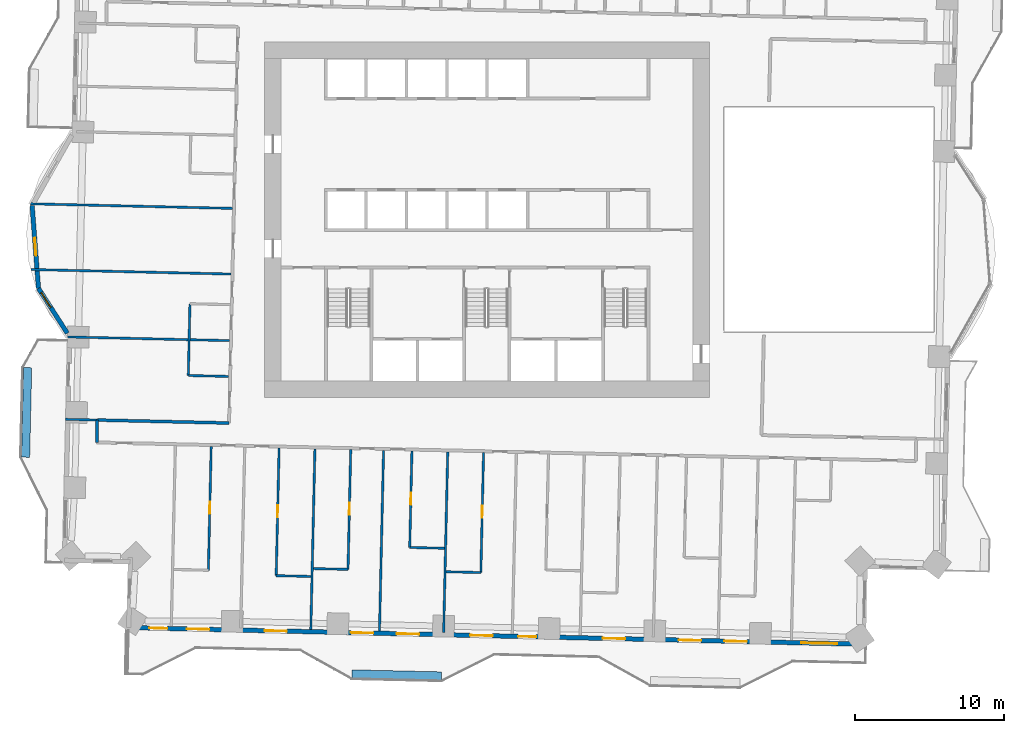
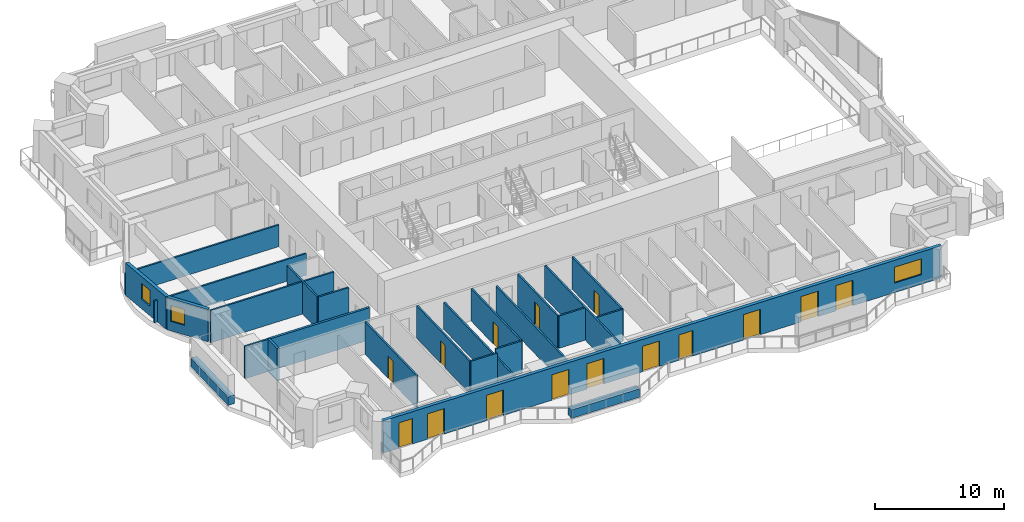
# One storey, part 7 of 18: 25 walls, 15 doors, 3 windows, 18 openings.
"""IFC4 building model written with IfcOpenShell, lengths in metres."""

from ifc_helpers import new_model, si_unit, direction, frame, frame_2d, origin, place, context, subcontext, project, spatial, rectangle, extrude, material, layer, layer_set, type_object, element, fill, save


model = new_model("IFC4")

# Units and contexts
model_context = context("Model", 3, precision=1e-05, world=origin(), true_north=direction((0.0, 1.0)))
body_context = subcontext(model_context, "Body", "Model", "MODEL_VIEW")
ifc_project = project(units=[si_unit("LENGTHUNIT", "METRE"), si_unit("AREAUNIT", "SQUARE_METRE"), si_unit("VOLUMEUNIT", "CUBIC_METRE"), si_unit("PLANEANGLEUNIT", "RADIAN"), si_unit("MASSUNIT", "GRAM", prefix="KILO")], contexts=[model_context])

# Site, building, storey
site_placement = place(None, origin())
site = spatial("IfcSite", under=ifc_project, at=site_placement, CompositionType="ELEMENT")
building_placement = place(site_placement, origin())
building = spatial("IfcBuilding", under=site, at=building_placement, Name="Mangrove Gate Tower", CompositionType="ELEMENT")
storey_placement = place(building_placement, frame((0.0, 0.0, 71.10009765625)))
storey = spatial("IfcBuildingStorey", under=building, at=storey_placement, Name="L17", CompositionType="ELEMENT", Elevation=71.10009765625)

# Walls
ifc_material_1 = material(Name="Gypsum board on steel stud, EI 60", Category="steel")
ifc_layer_1 = layer(ifc_material_1, 0.199951171875)
ifc_layer_set_1 = layer_set([ifc_layer_1], Name="Corridor wall EI 60")
wall_type_1 = type_object("IfcWallType", Name="Corridor wall EI 60", PredefinedType="PARTITIONING", material=ifc_layer_set_1)
wall_1_placement = place(storey_placement, frame((-26.14794921875, -14.924072265625, 0.0), z_axis=(0.0, 0.0, 1.0), x_axis=(0.022617910375, 0.999744182344, 0.0)))
element("IfcWall", 1, at=wall_1_placement, inside=storey, type_object=wall_type_1, Name="WALL-L17-032", PredefinedType="PARTITIONING", context=body_context, shape_type="SweptSolid", body=[
    extrude(rectangle(XDim=1.50048828125, YDim=0.199951171875, at=frame_2d((0.750244140625, 0.0))), origin(), (0.0, 0.0, 1.0), 3.0498046875),
])
wall_2_placement = place(storey_placement, frame((-26.116943359375, -13.424072265625, 0.0), z_axis=(0.0, 0.0, 1.0), x_axis=(0.999741493133, -0.022736466476, 0.0)))
element("IfcWall", 2, at=wall_2_placement, inside=storey, type_object=wall_type_1, Name="WALL-L17-035", PredefinedType="PARTITIONING", context=body_context, shape_type="SweptSolid", body=[
    extrude(rectangle(XDim=8.837158203125, YDim=0.199951171875, at=frame_2d((4.41845703125, 0.0))), origin(), (0.0, 0.0, 1.0), 3.0498046875),
])

# Wall, opening, window
ifc_material_2 = material(Name="Limestone", Category="masonry")
ifc_layer_2 = layer(ifc_material_2, 0.0400390625, Name="Limestone cladding")
ifc_material_3 = material(Name="Ventilated air gap")
ifc_layer_3 = layer(ifc_material_3, 0.0400390625, Name="Ventilated cavity")
ifc_material_4 = material(Name="Mineral wool insulation")
ifc_layer_4 = layer(ifc_material_4, 0.06005859375, Name="Insulation")
ifc_material_5 = material(Name="Breather membrane")
ifc_layer_5 = layer(ifc_material_5, 0.001953125, Name="Breather membrane")
ifc_material_6 = material(Name="Concrete C20/25 blockwork", Category="masonry")
ifc_layer_6 = layer(ifc_material_6, 0.14990234375, Name="Blockwork backing wall")
ifc_material_7 = material(Name="Gypsum plaster")
ifc_layer_7 = layer(ifc_material_7, 0.008056640625, Name="Internal plaster")
ifc_layer_set_2 = layer_set([ifc_layer_2, ifc_layer_3, ifc_layer_4, ifc_layer_5, ifc_layer_6, ifc_layer_7], Name="External wall 300 limestone cladding")
wall_type_2 = type_object("IfcWallType", Name="External wall 300 limestone cladding", PredefinedType="SOLIDWALL", material=ifc_layer_set_2)
wall_3_placement = place(storey_placement, frame((-30.47900390625, 0.951904296875, 0.0), z_axis=(0.0, 0.0, 1.0), x_axis=(0.076964476481, -0.997033835614, 0.0)))
wall_3 = element("IfcWall", 3, at=wall_3_placement, inside=storey, type_object=wall_type_2, Name="WALL-L17-W9f2", PredefinedType="SOLIDWALL", context=body_context, shape_type="SweptSolid", body=[
    extrude(rectangle(XDim=5.573486328125, YDim=0.300048828125, at=frame_2d((2.78662109375, 0.0))), origin(), (0.0, 0.0, 1.0), 3.0498046875),
])
opening_1_placement = place(wall_3_placement, frame((2.18603515625, 0.0, 0.89990234375)))
opening_1 = element("IfcOpeningElement", 4, at=opening_1_placement, cuts=wall_3, Name="Opening W1", PredefinedType="OPENING", context=body_context, shape_type="SweptSolid", body=[
    extrude(rectangle(XDim=1.199951171875, YDim=1.5, at=frame_2d((0.60009765625, 0.75))), frame((0.0, 0.159912109375, 0.0), z_axis=(0.0, -1.0, 0.0), x_axis=(1.0, 0.0, 0.0)), (0.0, 0.0, 1.0), 0.320068359375),
])
ifc_material_8 = material(Name="Aluminium frame with double-glazed low-e glass", Category="aluminium")
window_type_1 = type_object("IfcWindowType", Name="Side lite 1200x1500", PartitioningType="SINGLE_PANEL", PredefinedType="WINDOW", material=ifc_material_8)
window_1_placement = place(opening_1_placement, origin())
window_1 = element("IfcWindow", 5, at=window_1_placement, inside=storey, type_object=window_type_1, Name="WIN-L17-W9f2", OverallHeight=1.5, OverallWidth=1.199951171875, PartitioningType="SINGLE_PANEL", PredefinedType="WINDOW", context=body_context, shape_type="SweptSolid", body=[
    extrude(rectangle(XDim=1.199951171875, YDim=1.5, at=frame_2d((0.60009765625, 0.75))), frame((0.0, 0.030029296875, 0.0), z_axis=(0.0, -1.0, 0.0), x_axis=(1.0, 0.0, 0.0)), (0.0, 0.0, 1.0), 0.06005859375),
])
fill(opening_1, window_1)

wall_4_placement = place(storey_placement, frame((-30.050048828125, -4.60498046875, 0.0), z_axis=(0.0, 0.0, 1.0), x_axis=(0.540653885242, -0.841245134532, 0.0)))
wall_4 = element("IfcWall", 6, at=wall_4_placement, inside=storey, type_object=wall_type_2, Name="WALL-L17-W9f3", PredefinedType="SOLIDWALL", context=body_context, shape_type="SweptSolid", body=[
    extrude(rectangle(XDim=3.569580078125, YDim=0.300048828125, at=frame_2d((1.78466796875, 0.0))), origin(), (0.0, 0.0, 1.0), 3.0498046875),
])
opening_2_placement = place(wall_4_placement, frame((0.337890625, 0.0, 0.89990234375)))
opening_2 = element("IfcOpeningElement", 7, at=opening_2_placement, cuts=wall_4, Name="Opening W1", PredefinedType="OPENING", context=body_context, shape_type="SweptSolid", body=[
    extrude(rectangle(XDim=1.199951171875, YDim=1.5, at=frame_2d((0.60009765625, 0.75))), frame((0.0, 0.159912109375, 0.0), z_axis=(0.0, -1.0, 0.0), x_axis=(1.0, 0.0, 0.0)), (0.0, 0.0, 1.0), 0.320068359375),
])
window_2_placement = place(opening_2_placement, origin())
window_2 = element("IfcWindow", 8, at=window_2_placement, inside=storey, type_object=window_type_1, Name="WIN-L17-W9f3", OverallHeight=1.5, OverallWidth=1.199951171875, PartitioningType="SINGLE_PANEL", PredefinedType="WINDOW", context=body_context, shape_type="SweptSolid", body=[
    extrude(rectangle(XDim=1.199951171875, YDim=1.5, at=frame_2d((0.60009765625, 0.75))), frame((0.0, 0.030029296875, 0.0), z_axis=(0.0, -1.0, 0.0), x_axis=(1.0, 0.0, 0.0)), (0.0, 0.0, 1.0), 0.06005859375),
])
fill(opening_2, window_2)

# Wall, openings, doors, window
wall_5_placement = place(storey_placement, frame((-24.007080078125, -27.325927734375, 0.0), z_axis=(0.0, 0.0, 1.0), x_axis=(0.999742536491, -0.022690542744, 0.0)))
wall_5 = element("IfcWall", 9, at=wall_5_placement, inside=storey, type_object=wall_type_2, Name="WALL-L17-S13", PredefinedType="SOLIDWALL", context=body_context, shape_type="SweptSolid", body=[
    extrude(rectangle(XDim=49.23583984375, YDim=0.300048828125, at=frame_2d((24.617919921875, 0.0))), origin(), (0.0, 0.0, 1.0), 3.0498046875),
])
opening_3_placement = place(wall_5_placement, frame((1.39111328125, 0.0, 0.0)))
opening_3 = element("IfcOpeningElement", 10, at=opening_3_placement, cuts=wall_5, Name="Opening BD2", PredefinedType="OPENING", context=body_context, shape_type="SweptSolid", body=[
    extrude(rectangle(XDim=1.199951171875, YDim=2.39990234375, at=frame_2d((0.60009765625, 1.199951171875))), frame((0.0, 0.159912109375, 0.0), z_axis=(0.0, -1.0, 0.0), x_axis=(1.0, 0.0, 0.0)), (0.0, 0.0, 1.0), 0.320068359375),
])
opening_4_placement = place(wall_5_placement, frame((3.90087890625, 0.0, 0.0)))
opening_4 = element("IfcOpeningElement", 11, at=opening_4_placement, cuts=wall_5, Name="Opening BD1", PredefinedType="OPENING", context=body_context, shape_type="SweptSolid", body=[
    extrude(rectangle(XDim=1.5, YDim=2.39990234375, at=frame_2d((0.75, 1.199951171875))), frame((0.0, 0.159912109375, 0.0), z_axis=(0.0, -1.0, 0.0), x_axis=(1.0, 0.0, 0.0)), (0.0, 0.0, 1.0), 0.320068359375),
])
opening_5_placement = place(wall_5_placement, frame((9.10009765625, 0.0, 0.0)))
opening_5 = element("IfcOpeningElement", 12, at=opening_5_placement, cuts=wall_5, Name="Opening BD1", PredefinedType="OPENING", context=body_context, shape_type="SweptSolid", body=[
    extrude(rectangle(XDim=1.5, YDim=2.39990234375, at=frame_2d((0.75, 1.199951171875))), frame((0.0, 0.159912109375, 0.0), z_axis=(0.0, -1.0, 0.0), x_axis=(1.0, 0.0, 0.0)), (0.0, 0.0, 1.0), 0.320068359375),
])
opening_6_placement = place(wall_5_placement, frame((14.888916015625, 0.0, 0.0)))
opening_6 = element("IfcOpeningElement", 13, at=opening_6_placement, cuts=wall_5, Name="Opening BD1", PredefinedType="OPENING", context=body_context, shape_type="SweptSolid", body=[
    extrude(rectangle(XDim=1.5, YDim=2.39990234375, at=frame_2d((0.75, 1.199951171875))), frame((0.0, 0.159912109375, 0.0), z_axis=(0.0, -1.0, 0.0), x_axis=(1.0, 0.0, 0.0)), (0.0, 0.0, 1.0), 0.320068359375),
])
opening_7_placement = place(wall_5_placement, frame((17.951904296875, 0.0, 0.0)))
opening_7 = element("IfcOpeningElement", 14, at=opening_7_placement, cuts=wall_5, Name="Opening BD1", PredefinedType="OPENING", context=body_context, shape_type="SweptSolid", body=[
    extrude(rectangle(XDim=1.5, YDim=2.39990234375, at=frame_2d((0.75, 1.199951171875))), frame((0.0, 0.159912109375, 0.0), z_axis=(0.0, -1.0, 0.0), x_axis=(1.0, 0.0, 0.0)), (0.0, 0.0, 1.0), 0.320068359375),
])
opening_8_placement = place(wall_5_placement, frame((22.8779296875, 0.0, 0.0)))
opening_8 = element("IfcOpeningElement", 15, at=opening_8_placement, cuts=wall_5, Name="Opening BD1", PredefinedType="OPENING", context=body_context, shape_type="SweptSolid", body=[
    extrude(rectangle(XDim=1.5, YDim=2.39990234375, at=frame_2d((0.75, 1.199951171875))), frame((0.0, 0.159912109375, 0.0), z_axis=(0.0, -1.0, 0.0), x_axis=(1.0, 0.0, 0.0)), (0.0, 0.0, 1.0), 0.320068359375),
])
opening_9_placement = place(wall_5_placement, frame((26.091064453125, 0.0, 0.0)))
opening_9 = element("IfcOpeningElement", 16, at=opening_9_placement, cuts=wall_5, Name="Opening BD2", PredefinedType="OPENING", context=body_context, shape_type="SweptSolid", body=[
    extrude(rectangle(XDim=1.199951171875, YDim=2.39990234375, at=frame_2d((0.60009765625, 1.199951171875))), frame((0.0, 0.159912109375, 0.0), z_axis=(0.0, -1.0, 0.0), x_axis=(1.0, 0.0, 0.0)), (0.0, 0.0, 1.0), 0.320068359375),
])
opening_10_placement = place(wall_5_placement, frame((31.75390625, 0.0, 0.0)))
opening_10 = element("IfcOpeningElement", 17, at=opening_10_placement, cuts=wall_5, Name="Opening BD1", PredefinedType="OPENING", context=body_context, shape_type="SweptSolid", body=[
    extrude(rectangle(XDim=1.5, YDim=2.39990234375, at=frame_2d((0.75, 1.199951171875))), frame((0.0, 0.159912109375, 0.0), z_axis=(0.0, -1.0, 0.0), x_axis=(1.0, 0.0, 0.0)), (0.0, 0.0, 1.0), 0.320068359375),
])
opening_11_placement = place(wall_5_placement, frame((36.85400390625, 0.0, 0.0)))
opening_11 = element("IfcOpeningElement", 18, at=opening_11_placement, cuts=wall_5, Name="Opening BD1", PredefinedType="OPENING", context=body_context, shape_type="SweptSolid", body=[
    extrude(rectangle(XDim=1.5, YDim=2.39990234375, at=frame_2d((0.75, 1.199951171875))), frame((0.0, 0.159912109375, 0.0), z_axis=(0.0, -1.0, 0.0), x_axis=(1.0, 0.0, 0.0)), (0.0, 0.0, 1.0), 0.320068359375),
])
opening_12_placement = place(wall_5_placement, frame((39.9169921875, 0.0, 0.0)))
opening_12 = element("IfcOpeningElement", 19, at=opening_12_placement, cuts=wall_5, Name="Opening BD1", PredefinedType="OPENING", context=body_context, shape_type="SweptSolid", body=[
    extrude(rectangle(XDim=1.5, YDim=2.39990234375, at=frame_2d((0.75, 1.199951171875))), frame((0.0, 0.159912109375, 0.0), z_axis=(0.0, -1.0, 0.0), x_axis=(1.0, 0.0, 0.0)), (0.0, 0.0, 1.0), 0.320068359375),
])
opening_13_placement = place(wall_5_placement, frame((45.072021484375, 0.0, 0.89990234375)))
opening_13 = element("IfcOpeningElement", 20, at=opening_13_placement, cuts=wall_5, Name="Opening W2", PredefinedType="OPENING", context=body_context, shape_type="SweptSolid", body=[
    extrude(rectangle(XDim=2.39990234375, YDim=1.5, at=frame_2d((1.199951171875, 0.75))), frame((0.0, 0.159912109375, 0.0), z_axis=(0.0, -1.0, 0.0), x_axis=(1.0, 0.0, 0.0)), (0.0, 0.0, 1.0), 0.320068359375),
])
ifc_material_9 = material(Name="Aluminium frame with laminated clear glass", Category="aluminium")
door_type_1 = type_object("IfcDoorType", Name="Balcony sliding door 1200x2400", OperationType="SLIDING_TO_LEFT", PredefinedType="DOOR", material=ifc_material_9)
door_1_placement = place(opening_3_placement, origin())
door_1 = element("IfcDoor", 21, at=door_1_placement, inside=storey, type_object=door_type_1, Name="DOOR-L17-S13-1", OperationType="SLIDING_TO_LEFT", OverallHeight=2.39990234375, OverallWidth=1.199951171875, PredefinedType="DOOR", context=body_context, shape_type="SweptSolid", body=[
    extrude(rectangle(XDim=1.199951171875, YDim=2.39990234375, at=frame_2d((0.60009765625, 1.199951171875))), frame((0.0, 0.02490234375, 0.0), z_axis=(0.0, -1.0, 0.0), x_axis=(1.0, 0.0, 0.0)), (0.0, 0.0, 1.0), 0.050048828125),
])
fill(opening_3, door_1)
door_2_placement = place(opening_9_placement, origin())
door_2 = element("IfcDoor", 22, at=door_2_placement, inside=storey, type_object=door_type_1, Name="DOOR-L17-S13-7", OperationType="SLIDING_TO_LEFT", OverallHeight=2.39990234375, OverallWidth=1.199951171875, PredefinedType="DOOR", context=body_context, shape_type="SweptSolid", body=[
    extrude(rectangle(XDim=1.199951171875, YDim=2.39990234375, at=frame_2d((0.60009765625, 1.199951171875))), frame((0.0, 0.02490234375, 0.0), z_axis=(0.0, -1.0, 0.0), x_axis=(1.0, 0.0, 0.0)), (0.0, 0.0, 1.0), 0.050048828125),
])
fill(opening_9, door_2)
ifc_material_10 = material(Name="Aluminium frame with laminated clear glass", Category="aluminium")
door_type_2 = type_object("IfcDoorType", Name="Balcony sliding door 1500x2400", OperationType="SLIDING_TO_LEFT", PredefinedType="DOOR", material=ifc_material_10)
door_3_placement = place(opening_4_placement, origin())
door_3 = element("IfcDoor", 23, at=door_3_placement, inside=storey, type_object=door_type_2, Name="DOOR-L17-S13-2", OperationType="SLIDING_TO_LEFT", OverallHeight=2.39990234375, OverallWidth=1.5, PredefinedType="DOOR", context=body_context, shape_type="SweptSolid", body=[
    extrude(rectangle(XDim=1.5, YDim=2.39990234375, at=frame_2d((0.75, 1.199951171875))), frame((0.0, 0.02490234375, 0.0), z_axis=(0.0, -1.0, 0.0), x_axis=(1.0, 0.0, 0.0)), (0.0, 0.0, 1.0), 0.050048828125),
])
fill(opening_4, door_3)
door_4_placement = place(opening_5_placement, origin())
door_4 = element("IfcDoor", 24, at=door_4_placement, inside=storey, type_object=door_type_2, Name="DOOR-L17-S13-3", OperationType="SLIDING_TO_LEFT", OverallHeight=2.39990234375, OverallWidth=1.5, PredefinedType="DOOR", context=body_context, shape_type="SweptSolid", body=[
    extrude(rectangle(XDim=1.5, YDim=2.39990234375, at=frame_2d((0.75, 1.199951171875))), frame((0.0, 0.02490234375, 0.0), z_axis=(0.0, -1.0, 0.0), x_axis=(1.0, 0.0, 0.0)), (0.0, 0.0, 1.0), 0.050048828125),
])
fill(opening_5, door_4)
door_5_placement = place(opening_6_placement, origin())
door_5 = element("IfcDoor", 25, at=door_5_placement, inside=storey, type_object=door_type_2, Name="DOOR-L17-S13-4", OperationType="SLIDING_TO_LEFT", OverallHeight=2.39990234375, OverallWidth=1.5, PredefinedType="DOOR", context=body_context, shape_type="SweptSolid", body=[
    extrude(rectangle(XDim=1.5, YDim=2.39990234375, at=frame_2d((0.75, 1.199951171875))), frame((0.0, 0.02490234375, 0.0), z_axis=(0.0, -1.0, 0.0), x_axis=(1.0, 0.0, 0.0)), (0.0, 0.0, 1.0), 0.050048828125),
])
fill(opening_6, door_5)
door_6_placement = place(opening_7_placement, origin())
door_6 = element("IfcDoor", 26, at=door_6_placement, inside=storey, type_object=door_type_2, Name="DOOR-L17-S13-5", OperationType="SLIDING_TO_LEFT", OverallHeight=2.39990234375, OverallWidth=1.5, PredefinedType="DOOR", context=body_context, shape_type="SweptSolid", body=[
    extrude(rectangle(XDim=1.5, YDim=2.39990234375, at=frame_2d((0.75, 1.199951171875))), frame((0.0, 0.02490234375, 0.0), z_axis=(0.0, -1.0, 0.0), x_axis=(1.0, 0.0, 0.0)), (0.0, 0.0, 1.0), 0.050048828125),
])
fill(opening_7, door_6)
door_7_placement = place(opening_8_placement, origin())
door_7 = element("IfcDoor", 27, at=door_7_placement, inside=storey, type_object=door_type_2, Name="DOOR-L17-S13-6", OperationType="SLIDING_TO_LEFT", OverallHeight=2.39990234375, OverallWidth=1.5, PredefinedType="DOOR", context=body_context, shape_type="SweptSolid", body=[
    extrude(rectangle(XDim=1.5, YDim=2.39990234375, at=frame_2d((0.75, 1.199951171875))), frame((0.0, 0.02490234375, 0.0), z_axis=(0.0, -1.0, 0.0), x_axis=(1.0, 0.0, 0.0)), (0.0, 0.0, 1.0), 0.050048828125),
])
fill(opening_8, door_7)
door_8_placement = place(opening_10_placement, origin())
door_8 = element("IfcDoor", 28, at=door_8_placement, inside=storey, type_object=door_type_2, Name="DOOR-L17-S13-8", OperationType="SLIDING_TO_LEFT", OverallHeight=2.39990234375, OverallWidth=1.5, PredefinedType="DOOR", context=body_context, shape_type="SweptSolid", body=[
    extrude(rectangle(XDim=1.5, YDim=2.39990234375, at=frame_2d((0.75, 1.199951171875))), frame((0.0, 0.02490234375, 0.0), z_axis=(0.0, -1.0, 0.0), x_axis=(1.0, 0.0, 0.0)), (0.0, 0.0, 1.0), 0.050048828125),
])
fill(opening_10, door_8)
door_9_placement = place(opening_11_placement, origin())
door_9 = element("IfcDoor", 29, at=door_9_placement, inside=storey, type_object=door_type_2, Name="DOOR-L17-S13-9", OperationType="SLIDING_TO_LEFT", OverallHeight=2.39990234375, OverallWidth=1.5, PredefinedType="DOOR", context=body_context, shape_type="SweptSolid", body=[
    extrude(rectangle(XDim=1.5, YDim=2.39990234375, at=frame_2d((0.75, 1.199951171875))), frame((0.0, 0.02490234375, 0.0), z_axis=(0.0, -1.0, 0.0), x_axis=(1.0, 0.0, 0.0)), (0.0, 0.0, 1.0), 0.050048828125),
])
fill(opening_11, door_9)
door_10_placement = place(opening_12_placement, origin())
door_10 = element("IfcDoor", 30, at=door_10_placement, inside=storey, type_object=door_type_2, Name="DOOR-L17-S13-10", OperationType="SLIDING_TO_LEFT", OverallHeight=2.39990234375, OverallWidth=1.5, PredefinedType="DOOR", context=body_context, shape_type="SweptSolid", body=[
    extrude(rectangle(XDim=1.5, YDim=2.39990234375, at=frame_2d((0.75, 1.199951171875))), frame((0.0, 0.02490234375, 0.0), z_axis=(0.0, -1.0, 0.0), x_axis=(1.0, 0.0, 0.0)), (0.0, 0.0, 1.0), 0.050048828125),
])
fill(opening_12, door_10)
ifc_material_11 = material(Name="Aluminium frame with double-glazed low-e glass", Category="aluminium")
window_type_2 = type_object("IfcWindowType", Name="Corner room window 2400x1500", PartitioningType="DOUBLE_PANEL_VERTICAL", PredefinedType="WINDOW", material=ifc_material_11)
window_3_placement = place(opening_13_placement, origin())
window_3 = element("IfcWindow", 31, at=window_3_placement, inside=storey, type_object=window_type_2, Name="WIN-L17-S13-11", OverallHeight=1.5, OverallWidth=2.39990234375, PartitioningType="DOUBLE_PANEL_VERTICAL", PredefinedType="WINDOW", context=body_context, shape_type="SweptSolid", body=[
    extrude(rectangle(XDim=2.39990234375, YDim=1.5, at=frame_2d((1.199951171875, 0.75))), frame((0.0, 0.030029296875, 0.0), z_axis=(0.0, -1.0, 0.0), x_axis=(1.0, 0.0, 0.0)), (0.0, 0.0, 1.0), 0.06005859375),
])
fill(opening_13, window_3)

# Walls
ifc_material_12 = material(Name="Gypsum board on steel stud, EI 60", Category="steel")
ifc_layer_8 = layer(ifc_material_12, 0.14990234375)
ifc_layer_set_3 = layer_set([ifc_layer_8], Name="Party wall 150 EI 60")
wall_type_3 = type_object("IfcWallType", Name="Party wall 150 EI 60", PredefinedType="PARTITIONING", material=ifc_layer_set_3)
for number, where, z_axis, x_axis, name in (
    (32, (-11.80908203125, -27.452880859375, 0.0), (0.0, 0.0, 1.0), (0.02273928012, 0.99974142914, 0.0), "WALL-L17-003"),
    (33, (-7.2099609375, -27.556884765625, 0.0), (0.0, 0.0, 1.0), (0.02263844782, 0.9997437175, 0.0), "WALL-L17-004"),
):
    element("IfcWall", number, at=place(storey_placement, frame(where, z_axis=z_axis, x_axis=x_axis)), inside=storey, type_object=wall_type_3, Name=name, PredefinedType="PARTITIONING", context=body_context, shape_type="SweptSolid", body=[
        extrude(rectangle(XDim=12.10009765625, YDim=0.14990234375, at=frame_2d((6.050048828125, 0.0))), origin(), (0.0, 0.0, 1.0), 2.5498046875),
    ])
wall_6_placement = place(storey_placement, frame((-2.910888671875, -27.655029296875, 0.0), z_axis=(0.0, 0.0, 1.0), x_axis=(0.02263616477, 0.999743769195, 0.0)))
element("IfcWall", 34, at=wall_6_placement, inside=storey, type_object=wall_type_3, Name="WALL-L17-005", PredefinedType="PARTITIONING", context=body_context, shape_type="SweptSolid", body=[
    extrude(rectangle(XDim=12.101318359375, YDim=0.14990234375, at=frame_2d((6.05078125, 0.0))), origin(), (0.0, 0.0, 1.0), 3.0498046875),
])

# Wall, opening, door
wall_7_placement = place(storey_placement, frame((-14.1279296875, -23.84912109375, 0.0), z_axis=(0.0, 0.0, 1.0), x_axis=(0.022671462533, 0.999742969361, 0.0)))
wall_7 = element("IfcWall", 35, at=wall_7_placement, inside=storey, type_object=wall_type_3, Name="WALL-L17-015", PredefinedType="PARTITIONING", context=body_context, shape_type="SweptSolid", body=[
    extrude(rectangle(XDim=8.55029296875, YDim=0.14990234375, at=frame_2d((4.275146484375, 0.0))), origin(), (0.0, 0.0, 1.0), 3.0498046875),
])
opening_14_placement = place(wall_7_placement, frame((3.925048828125, 0.0, 0.0)))
opening_14 = element("IfcOpeningElement", 36, at=opening_14_placement, cuts=wall_7, Name="Opening ED", PredefinedType="OPENING", context=body_context, shape_type="SweptSolid", body=[
    extrude(rectangle(XDim=0.800048828125, YDim=2.10009765625, at=frame_2d((0.39990234375, 1.050048828125))), frame((0.0, 0.0849609375, 0.0), z_axis=(0.0, -1.0, 0.0), x_axis=(1.0, 0.0, 0.0)), (0.0, 0.0, 1.0), 0.169921875),
])
ifc_material_13 = material(Name="Timber door leaf", Category="wood")
door_type_3 = type_object("IfcDoorType", Name="En-suite door 800", OperationType="SINGLE_SWING_LEFT", PredefinedType="DOOR", material=ifc_material_13)
door_11_placement = place(opening_14_placement, origin())
door_11 = element("IfcDoor", 37, at=door_11_placement, inside=storey, type_object=door_type_3, Name="DOOR-L17-ENS-c102", OperationType="SINGLE_SWING_RIGHT", OverallHeight=2.10009765625, OverallWidth=0.800048828125, PredefinedType="DOOR", context=body_context, shape_type="SweptSolid", body=[
    extrude(rectangle(XDim=0.800048828125, YDim=2.10009765625, at=frame_2d((0.39990234375, 1.050048828125))), frame((0.0, 0.02490234375, 0.0), z_axis=(0.0, -1.0, 0.0), x_axis=(1.0, 0.0, 0.0)), (0.0, 0.0, 1.0), 0.050048828125),
])
fill(opening_14, door_11)

# Wall
wall_8_placement = place(storey_placement, frame((-14.1259765625, -23.84912109375, 0.0), z_axis=(0.0, 0.0, 1.0), x_axis=(0.999740478815, -0.022781023197, 0.0)))
element("IfcWall", 38, at=wall_8_placement, inside=storey, type_object=wall_type_3, Name="WALL-L17-016", PredefinedType="PARTITIONING", context=body_context, shape_type="SweptSolid", body=[
    extrude(rectangle(XDim=2.325439453125, YDim=0.14990234375, at=frame_2d((1.16259765625, 0.0))), origin(), (0.0, 0.0, 1.0), 3.0498046875),
])

# Wall, opening, door
wall_9_placement = place(storey_placement, frame((-18.6708984375, -23.486083984375, 0.0), z_axis=(0.0, 0.0, 1.0), x_axis=(0.022675916361, 0.99974286835, 0.0)))
wall_9 = element("IfcWall", 39, at=wall_9_placement, inside=storey, type_object=wall_type_3, Name="WALL-L17-018", PredefinedType="PARTITIONING", context=body_context, shape_type="SweptSolid", body=[
    extrude(rectangle(XDim=8.290283203125, YDim=0.14990234375, at=frame_2d((4.14501953125, 0.0))), origin(), (0.0, 0.0, 1.0), 3.0498046875),
])
opening_15_placement = place(wall_9_placement, frame((3.794921875, 0.0, 0.0)))
opening_15 = element("IfcOpeningElement", 40, at=opening_15_placement, cuts=wall_9, Name="Opening ED", PredefinedType="OPENING", context=body_context, shape_type="SweptSolid", body=[
    extrude(rectangle(XDim=0.800048828125, YDim=2.10009765625, at=frame_2d((0.39990234375, 1.050048828125))), frame((0.0, 0.0849609375, 0.0), z_axis=(0.0, -1.0, 0.0), x_axis=(1.0, 0.0, 0.0)), (0.0, 0.0, 1.0), 0.169921875),
])
door_12_placement = place(opening_15_placement, origin())
door_12 = element("IfcDoor", 41, at=door_12_placement, inside=storey, type_object=door_type_3, Name="DOOR-L17-ENS-c101", OperationType="SINGLE_SWING_LEFT", OverallHeight=2.10009765625, OverallWidth=0.800048828125, PredefinedType="DOOR", context=body_context, shape_type="SweptSolid", body=[
    extrude(rectangle(XDim=0.800048828125, YDim=2.10009765625, at=frame_2d((0.39990234375, 1.050048828125))), frame((0.0, 0.02490234375, 0.0), z_axis=(0.0, -1.0, 0.0), x_axis=(1.0, 0.0, 0.0)), (0.0, 0.0, 1.0), 0.050048828125),
])
fill(opening_15, door_12)

# Wall
wall_10_placement = place(storey_placement, frame((-2.741943359375, -23.5869140625, 0.0), z_axis=(0.0, 0.0, 1.0), x_axis=(0.999740478815, -0.022781023197, 0.0)))
element("IfcWall", 42, at=wall_10_placement, inside=storey, type_object=wall_type_3, Name="WALL-L17-019", PredefinedType="PARTITIONING", context=body_context, shape_type="SweptSolid", body=[
    extrude(rectangle(XDim=2.325439453125, YDim=0.14990234375, at=frame_2d((1.16259765625, 0.0))), origin(), (0.0, 0.0, 1.0), 3.0498046875),
])

# Wall, opening, door
wall_11_placement = place(storey_placement, frame((-0.4189453125, -23.639892578125, 0.0), z_axis=(0.0, 0.0, 1.0), x_axis=(0.022650959747, 0.999743434098, 0.0)))
wall_11 = element("IfcWall", 43, at=wall_11_placement, inside=storey, type_object=wall_type_3, Name="WALL-L17-020", PredefinedType="PARTITIONING", context=body_context, shape_type="SweptSolid", body=[
    extrude(rectangle(XDim=8.02978515625, YDim=0.14990234375, at=frame_2d((4.014892578125, 0.0))), origin(), (0.0, 0.0, 1.0), 3.0498046875),
])
opening_16_placement = place(wall_11_placement, frame((3.6650390625, 0.0, 0.0)))
opening_16 = element("IfcOpeningElement", 44, at=opening_16_placement, cuts=wall_11, Name="Opening ED", PredefinedType="OPENING", context=body_context, shape_type="SweptSolid", body=[
    extrude(rectangle(XDim=0.800048828125, YDim=2.10009765625, at=frame_2d((0.39990234375, 1.050048828125))), frame((0.0, 0.0849609375, 0.0), z_axis=(0.0, -1.0, 0.0), x_axis=(1.0, 0.0, 0.0)), (0.0, 0.0, 1.0), 0.169921875),
])
door_13_placement = place(opening_16_placement, origin())
door_13 = element("IfcDoor", 45, at=door_13_placement, inside=storey, type_object=door_type_3, Name="DOOR-L17-ENS-c205", OperationType="SINGLE_SWING_LEFT", OverallHeight=2.10009765625, OverallWidth=0.800048828125, PredefinedType="DOOR", context=body_context, shape_type="SweptSolid", body=[
    extrude(rectangle(XDim=0.800048828125, YDim=2.10009765625, at=frame_2d((0.39990234375, 1.050048828125))), frame((0.0, 0.02490234375, 0.0), z_axis=(0.0, -1.0, 0.0), x_axis=(1.0, 0.0, 0.0)), (0.0, 0.0, 1.0), 0.050048828125),
])
fill(opening_16, door_13)

# Wall
wall_12_placement = place(storey_placement, frame((-11.638916015625, -23.375, 0.0), z_axis=(0.0, 0.0, 1.0), x_axis=(0.999740260747, -0.02279059109, 0.0)))
element("IfcWall", 46, at=wall_12_placement, inside=storey, type_object=wall_type_3, Name="WALL-L17-021", PredefinedType="PARTITIONING", context=body_context, shape_type="SweptSolid", body=[
    extrude(rectangle(XDim=2.324462890625, YDim=0.14990234375, at=frame_2d((1.162109375, 0.0))), origin(), (0.0, 0.0, 1.0), 3.0498046875),
])

# Wall, opening, door
wall_13_placement = place(storey_placement, frame((-9.31689453125, -23.427978515625, 0.0), z_axis=(0.0, 0.0, 1.0), x_axis=(0.022678533363, 0.999742808989, 0.0)))
wall_13 = element("IfcWall", 47, at=wall_13_placement, inside=storey, type_object=wall_type_3, Name="WALL-L17-022", PredefinedType="PARTITIONING", context=body_context, shape_type="SweptSolid", body=[
    extrude(rectangle(XDim=8.02001953125, YDim=0.14990234375, at=frame_2d((4.010009765625, 0.0))), origin(), (0.0, 0.0, 1.0), 3.0498046875),
])
opening_17_placement = place(wall_13_placement, frame((3.659912109375, 0.0, 0.0)))
opening_17 = element("IfcOpeningElement", 48, at=opening_17_placement, cuts=wall_13, Name="Opening ED", PredefinedType="OPENING", context=body_context, shape_type="SweptSolid", body=[
    extrude(rectangle(XDim=0.800048828125, YDim=2.10009765625, at=frame_2d((0.39990234375, 1.050048828125))), frame((0.0, 0.0849609375, 0.0), z_axis=(0.0, -1.0, 0.0), x_axis=(1.0, 0.0, 0.0)), (0.0, 0.0, 1.0), 0.169921875),
])
door_14_placement = place(opening_17_placement, origin())
door_14 = element("IfcDoor", 49, at=door_14_placement, inside=storey, type_object=door_type_3, Name="DOOR-L17-ENS-c103", OperationType="SINGLE_SWING_LEFT", OverallHeight=2.10009765625, OverallWidth=0.800048828125, PredefinedType="DOOR", context=body_context, shape_type="SweptSolid", body=[
    extrude(rectangle(XDim=0.800048828125, YDim=2.10009765625, at=frame_2d((0.39990234375, 1.050048828125))), frame((0.0, 0.02490234375, 0.0), z_axis=(0.0, -1.0, 0.0), x_axis=(1.0, 0.0, 0.0)), (0.0, 0.0, 1.0), 0.050048828125),
])
fill(opening_17, door_14)

wall_14_placement = place(storey_placement, frame((-5.18310546875, -21.9609375, 0.0), z_axis=(0.0, 0.0, 1.0), x_axis=(0.022790087107, 0.999740272236, 0.0)))
wall_14 = element("IfcWall", 50, at=wall_14_placement, inside=storey, type_object=wall_type_3, Name="WALL-L17-027", PredefinedType="PARTITIONING", context=body_context, shape_type="SweptSolid", body=[
    extrude(rectangle(XDim=6.459716796875, YDim=0.14990234375, at=frame_2d((3.22998046875, 0.0))), origin(), (0.0, 0.0, 1.0), 3.0498046875),
])
opening_18_placement = place(wall_14_placement, frame((2.8798828125, 0.0, 0.0)))
opening_18 = element("IfcOpeningElement", 51, at=opening_18_placement, cuts=wall_14, Name="Opening ED", PredefinedType="OPENING", context=body_context, shape_type="SweptSolid", body=[
    extrude(rectangle(XDim=0.800048828125, YDim=2.10009765625, at=frame_2d((0.39990234375, 1.050048828125))), frame((0.0, 0.0849609375, 0.0), z_axis=(0.0, -1.0, 0.0), x_axis=(1.0, 0.0, 0.0)), (0.0, 0.0, 1.0), 0.169921875),
])
door_15_placement = place(opening_18_placement, origin())
door_15 = element("IfcDoor", 52, at=door_15_placement, inside=storey, type_object=door_type_3, Name="DOOR-L17-ENS-c104", OperationType="SINGLE_SWING_RIGHT", OverallHeight=2.10009765625, OverallWidth=0.800048828125, PredefinedType="DOOR", context=body_context, shape_type="SweptSolid", body=[
    extrude(rectangle(XDim=0.800048828125, YDim=2.10009765625, at=frame_2d((0.39990234375, 1.050048828125))), frame((0.0, 0.02490234375, 0.0), z_axis=(0.0, -1.0, 0.0), x_axis=(1.0, 0.0, 0.0)), (0.0, 0.0, 1.0), 0.050048828125),
])
fill(opening_18, door_15)

# Walls
wall_15_placement = place(storey_placement, frame((-5.180908203125, -21.9609375, 0.0), z_axis=(0.0, 0.0, 1.0), x_axis=(0.999740478815, -0.022781023197, 0.0)))
element("IfcWall", 53, at=wall_15_placement, inside=storey, type_object=wall_type_3, Name="WALL-L17-028", PredefinedType="PARTITIONING", context=body_context, shape_type="SweptSolid", body=[
    extrude(rectangle(XDim=2.325439453125, YDim=0.14990234375, at=frame_2d((1.16259765625, 0.0))), origin(), (0.0, 0.0, 1.0), 3.0498046875),
])
wall_16_placement = place(storey_placement, frame((-28.241943359375, -13.3759765625, 0.0), z_axis=(0.0, 0.0, 1.0), x_axis=(0.999743965862, -0.022627477169, 0.0)))
element("IfcWall", 54, at=wall_16_placement, inside=storey, type_object=wall_type_3, Name="WALL-L17-034", PredefinedType="PARTITIONING", context=body_context, shape_type="SweptSolid", body=[
    extrude(rectangle(XDim=2.12548828125, YDim=0.14990234375, at=frame_2d((1.062744140625, 0.0))), origin(), (0.0, 0.0, 1.0), 3.0498046875),
])
wall_17_placement = place(storey_placement, frame((-20.010009765625, -10.44189453125, 0.0), z_axis=(0.0, 0.0, 1.0), x_axis=(0.999744396973, -0.02260842146, 0.0)))
element("IfcWall", 55, at=wall_17_placement, inside=storey, type_object=wall_type_3, Name="WALL-L17-040", PredefinedType="PARTITIONING", context=body_context, shape_type="SweptSolid", body=[
    extrude(rectangle(XDim=2.69970703125, YDim=0.14990234375, at=frame_2d((1.349853515625, 0.0))), origin(), (0.0, 0.0, 1.0), 3.0498046875),
])
wall_18_placement = place(storey_placement, frame((-20.014892578125, -10.43701171875, 0.0), z_axis=(0.0, 0.0, 1.0), x_axis=(0.022683280499, 0.999742701292, 0.0)))
element("IfcWall", 56, at=wall_18_placement, inside=storey, type_object=wall_type_3, Name="WALL-L17-041", PredefinedType="PARTITIONING", context=body_context, shape_type="SweptSolid", body=[
    extrude(rectangle(XDim=4.80029296875, YDim=0.14990234375, at=frame_2d((2.400146484375, 0.0))), origin(), (0.0, 0.0, 1.0), 3.0498046875),
])
wall_19_placement = place(storey_placement, frame((-28.115966796875, -7.85693359375, 0.0), z_axis=(0.0, 0.0, 1.0), x_axis=(0.999741301527, -0.022744890004, 0.0)))
element("IfcWall", 57, at=wall_19_placement, inside=storey, type_object=wall_type_3, Name="WALL-L17-042", PredefinedType="PARTITIONING", context=body_context, shape_type="SweptSolid", body=[
    extrude(rectangle(XDim=10.86279296875, YDim=0.14990234375, at=frame_2d((5.431396484375, 0.0))), origin(), (0.0, 0.0, 1.0), 3.0498046875),
])
wall_20_placement = place(storey_placement, frame((-30.56298828125, -3.341064453125, 0.0), z_axis=(0.0, 0.0, 1.0), x_axis=(0.999743140217, -0.022663927048, 0.0)))
element("IfcWall", 58, at=wall_20_placement, inside=storey, type_object=wall_type_3, Name="WALL-L17-044", PredefinedType="PARTITIONING", context=body_context, shape_type="SweptSolid", body=[
    extrude(rectangle(XDim=13.411376953125, YDim=0.14990234375, at=frame_2d((6.70556640625, 0.0))), origin(), (0.0, 0.0, 1.0), 2.0498046875),
])
wall_21_placement = place(storey_placement, frame((-30.60205078125, 1.06103515625, 0.0), z_axis=(0.0, 0.0, 1.0), x_axis=(0.999743108275, -0.022665336016, 0.0)))
element("IfcWall", 59, at=wall_21_placement, inside=storey, type_object=wall_type_3, Name="WALL-L17-045", PredefinedType="PARTITIONING", context=body_context, shape_type="SweptSolid", body=[
    extrude(rectangle(XDim=13.550537109375, YDim=0.14990234375, at=frame_2d((6.775390625, 0.0))), origin(), (0.0, 0.0, 1.0), 2.0498046875),
])
ifc_material_14 = material(Name="Concrete C32/40", Category="concrete")
ifc_layer_9 = layer(ifc_material_14, 0.199951171875, Name="Planter trough wall")
ifc_material_15 = material(Name="Bituminous waterproofing membrane")
ifc_layer_10 = layer(ifc_material_15, 0.0048828125, Name="Waterproofing")
ifc_material_16 = material(Name="Drainage board and gravel")
ifc_layer_11 = layer(ifc_material_16, 0.044921875, Name="Drainage layer")
ifc_material_17 = material(Name="Planting soil")
ifc_layer_12 = layer(ifc_material_17, 0.300048828125, Name="Growing medium")
ifc_layer_set_4 = layer_set([ifc_layer_9, ifc_layer_10, ifc_layer_11, ifc_layer_12], Name="Planter wall 550 C32/40")
wall_type_4 = type_object("IfcWallType", Name="Planter wall 550 C32/40", PredefinedType="USERDEFINED", material=ifc_layer_set_4)
wall_22_placement = place(storey_placement, frame((-30.9150390625, -15.916015625, 0.0), z_axis=(0.0, 0.0, 1.0), x_axis=(0.022662255828, 0.999743178102, 0.0)))
element("IfcWall", 60, at=wall_22_placement, inside=storey, type_object=wall_type_4, Name="PLANTER L17 W1.1", ObjectType="PLANTER", PredefinedType="USERDEFINED", context=body_context, shape_type="SweptSolid", body=[
    extrude(rectangle(XDim=6.00048828125, YDim=0.550048828125, at=frame_2d((3.000244140625, 0.0))), origin(), (0.0, 0.0, 1.0), 0.7998046875),
])
wall_23_placement = place(storey_placement, frame((-9.055908203125, -30.430908203125, 0.0), z_axis=(0.0, 0.0, 1.0), x_axis=(0.999743073592, -0.022666865795, 0.0)))
element("IfcWall", 61, at=wall_23_placement, inside=storey, type_object=wall_type_4, Name="PLANTER L17 S0.1", ObjectType="PLANTER", PredefinedType="USERDEFINED", context=body_context, shape_type="SweptSolid", body=[
    extrude(rectangle(XDim=5.999267578125, YDim=0.550048828125, at=frame_2d((2.99951171875, 0.0))), origin(), (0.0, 0.0, 1.0), 0.7998046875),
])

save(model, "model.ifc")
